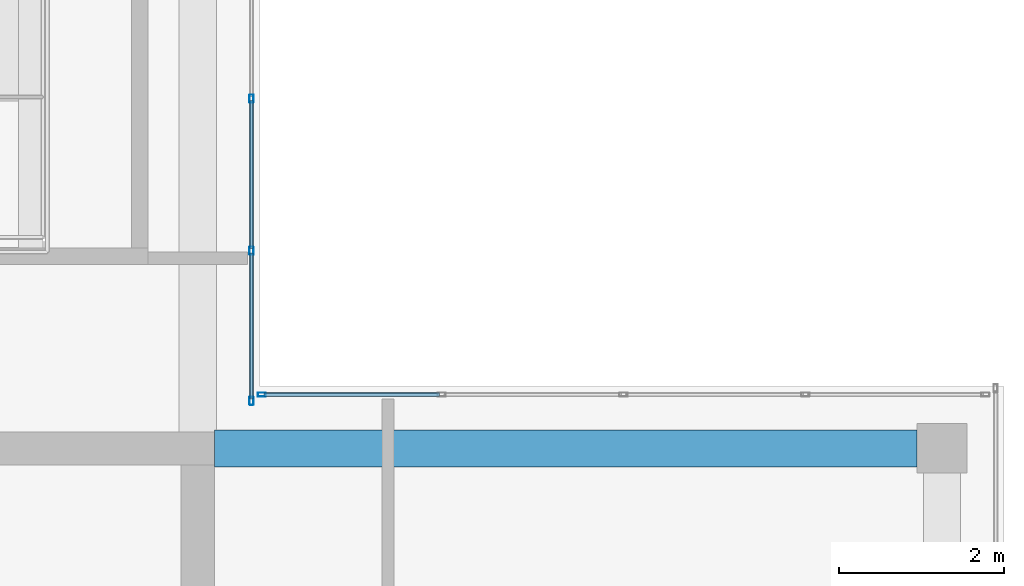
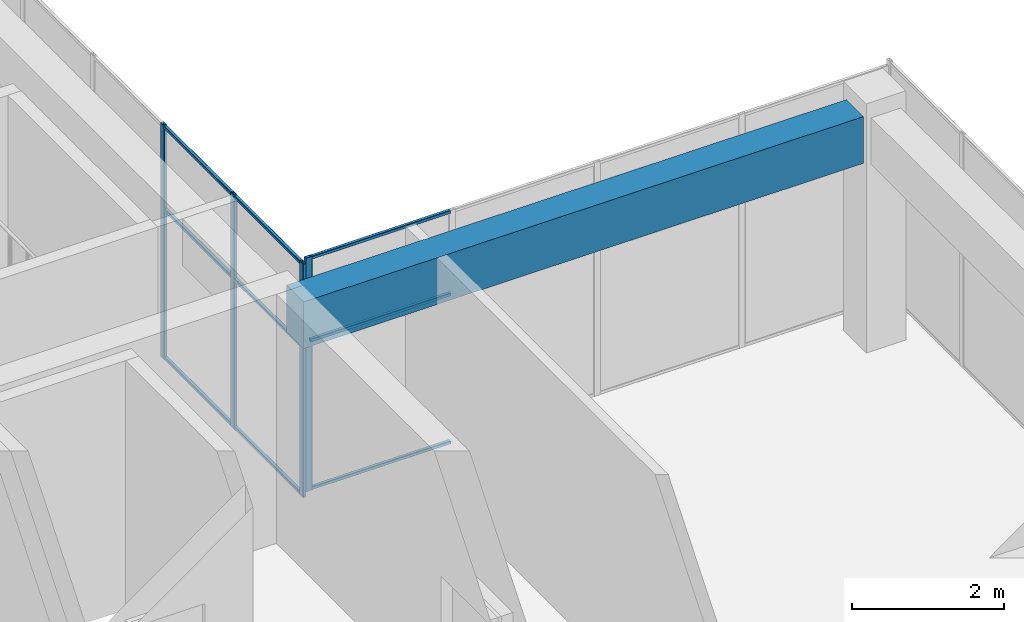
# One storey, part 17 of 32: 13 members, 1 beam, 2 elements without a shape of their own.
"""IFC4 building model written with IfcOpenShell, lengths in metres."""

from ifc_helpers import new_model, si_unit, direction, frame, origin, origin_2d, place, context, subcontext, project, spatial, rectangle, hollow_rectangle, extrude, material, layer, layer_set, material_profile, profile_set, type_object, element, aggregate, save


model = new_model("IFC4")

# Units and contexts
model_context = context("Model", 3, precision=1e-05, world=origin(), true_north=direction((0.0, 1.0)))
body_context = subcontext(model_context, "Body", "Model", "MODEL_VIEW")
ifc_project = project(units=[si_unit("LENGTHUNIT", "METRE"), si_unit("AREAUNIT", "SQUARE_METRE"), si_unit("VOLUMEUNIT", "CUBIC_METRE"), si_unit("PLANEANGLEUNIT", "RADIAN"), si_unit("MASSUNIT", "GRAM", prefix="KILO")], contexts=[model_context])

# Site, building, storey
site_placement = place(None, origin())
site = spatial("IfcSite", under=ifc_project, at=site_placement, CompositionType="ELEMENT")
building_placement = place(site_placement, origin())
building = spatial("IfcBuilding", under=site, at=building_placement, Name="Tuart Plaza Theatre", CompositionType="ELEMENT")
storey_placement = place(building_placement, frame((0.0, 0.0, 41.5)))
storey = spatial("IfcBuildingStorey", under=building, at=storey_placement, Name="L10", CompositionType="ELEMENT", Elevation=41.5)

# Beam
ifc_material_1 = material(Name="Concrete N40 (40 MPa)", Category="concrete")
ifc_material_profile_1 = material_profile(ifc_material_1, rectangle(XDim=0.449951171875, YDim=0.75, at=origin_2d()), Name="BEAM 450x750 Concrete N40 (40 MPa)")
ifc_profile_set_1 = profile_set([ifc_material_profile_1], Name="Concrete N40 (40 MPa)")
beam_type = type_object("IfcBeamType", Name="BEAM 450x750 Concrete N40 (40 MPa)", PredefinedType="BEAM", material=ifc_profile_set_1)
beam_placement = place(storey_placement, frame((141.199951171875, 83.0, 3.375), z_axis=(1.0, 0.0, 0.0), x_axis=(0.0, 1.0, 0.0)))
element("IfcBeam", 1, at=beam_placement, inside=storey, type_object=beam_type, Name="RB308", PredefinedType="BEAM", context=body_context, shape_type="SweptSolid", body=[
    extrude(rectangle(XDim=0.449951171875, YDim=0.75, at=origin_2d()), origin(), (0.0, 0.0, 1.0), 8.5),
])

# Curtain wall, member
ifc_material_2 = material(Name="Aluminium and glass", Category="aluminium")
ifc_layer = layer(ifc_material_2, 0.10009765625)
ifc_layer_set = layer_set([ifc_layer], Name="CURTAIN WALL 2000 module")
curtain_wall_type = type_object("IfcCurtainWallType", Name="CURTAIN WALL 2000 module", PredefinedType="NOTDEFINED", material=ifc_layer_set)
curtain_wall_1_placement = place(storey_placement, origin())
curtain_wall_1 = element("IfcCurtainWall", 2, at=curtain_wall_1_placement, inside=storey, type_object=curtain_wall_type, Name="CW103", PredefinedType="NOTDEFINED")
ifc_material_3 = material(Name="Aluminium 6063-T5", Category="aluminium")
ifc_material_profile_2 = material_profile(ifc_material_3, hollow_rectangle(XDim=0.050048828125, YDim=0.10009765625, WallThickness=0.00390625, InnerFilletRadius=0.00390625, OuterFilletRadius=0.008056640625, at=origin_2d()), Name="RHS 100x50x4")
ifc_profile_set_2 = profile_set([ifc_material_profile_2], Name="Aluminium 6063-T5")
member_type_1 = type_object("IfcMemberType", Name="MULLION RHS 100x50x4", PredefinedType="MULLION", material=ifc_profile_set_2)
member_1_placement = place(storey_placement, frame((141.77490234375, 83.64990234375, 0.0), z_axis=(0.0, 0.0, 1.0), x_axis=(0.0, -1.0, 0.0)))
member_1 = element("IfcMember", 3, at=member_1_placement, type_object=member_type_1, Name="CW103 mullion 5", PredefinedType="MULLION", context=body_context, shape_type="SweptSolid", body=[
    extrude(hollow_rectangle(XDim=0.050048828125, YDim=0.10009765625, WallThickness=0.00390625, InnerFilletRadius=0.00390625, OuterFilletRadius=0.008056640625, at=origin_2d()), origin(), (0.0, 0.0, 1.0), 3.75),
])

# Curtain wall, members
curtain_wall_2_placement = place(storey_placement, origin())
curtain_wall_2 = element("IfcCurtainWall", 4, at=curtain_wall_2_placement, inside=storey, type_object=curtain_wall_type, Name="CW104", PredefinedType="NOTDEFINED")
member_2_placement = place(storey_placement, frame((141.64990234375, 83.574951171875, 0.0), z_axis=(0.0, 0.0, 1.0), x_axis=(-1.0, 0.0, 0.0)))
member_2 = element("IfcMember", 5, at=member_2_placement, type_object=member_type_1, Name="CW104 mullion 1", PredefinedType="MULLION", context=body_context, shape_type="SweptSolid", body=[
    extrude(hollow_rectangle(XDim=0.050048828125, YDim=0.10009765625, WallThickness=0.00390625, InnerFilletRadius=0.00390625, OuterFilletRadius=0.008056640625, at=origin_2d()), origin(), (0.0, 0.0, 1.0), 3.75),
])
member_3_placement = place(storey_placement, frame((141.64990234375, 85.389892578125, 0.0), z_axis=(0.0, 0.0, 1.0), x_axis=(-1.0, 0.0, 0.0)))
member_3 = element("IfcMember", 6, at=member_3_placement, type_object=member_type_1, Name="CW104 mullion 2", PredefinedType="MULLION", context=body_context, shape_type="SweptSolid", body=[
    extrude(hollow_rectangle(XDim=0.050048828125, YDim=0.10009765625, WallThickness=0.00390625, InnerFilletRadius=0.00390625, OuterFilletRadius=0.008056640625, at=origin_2d()), origin(), (0.0, 0.0, 1.0), 3.75),
])
member_4_placement = place(storey_placement, frame((141.64990234375, 87.22998046875, 0.0), z_axis=(0.0, 0.0, 1.0), x_axis=(-1.0, 0.0, 0.0)))
member_4 = element("IfcMember", 7, at=member_4_placement, type_object=member_type_1, Name="CW104 mullion 3", PredefinedType="MULLION", context=body_context, shape_type="SweptSolid", body=[
    extrude(hollow_rectangle(XDim=0.050048828125, YDim=0.10009765625, WallThickness=0.00390625, InnerFilletRadius=0.00390625, OuterFilletRadius=0.008056640625, at=origin_2d()), origin(), (0.0, 0.0, 1.0), 3.75),
])

# Member
ifc_material_4 = material(Name="Aluminium 6063-T5", Category="aluminium")
ifc_material_profile_3 = material_profile(ifc_material_4, hollow_rectangle(XDim=0.050048828125, YDim=0.050048828125, WallThickness=0.00390625, InnerFilletRadius=0.00390625, OuterFilletRadius=0.008056640625, at=origin_2d()), Name="RHS 50x50x4")
ifc_profile_set_3 = profile_set([ifc_material_profile_3], Name="Aluminium 6063-T5")
member_type_2 = type_object("IfcMemberType", Name="TRANSOM RHS 50x50x4", PredefinedType="USERDEFINED", material=ifc_profile_set_3)
member_5_placement = place(storey_placement, frame((143.925048828125, 83.64990234375, 0.02490234375), z_axis=(-1.0, 0.0, 0.0), x_axis=(0.0, -1.0, 0.0)))
member_5 = element("IfcMember", 8, at=member_5_placement, type_object=member_type_2, Name="CW103 transom 4.1", ObjectType="TRANSOM", PredefinedType="USERDEFINED", context=body_context, shape_type="SweptSolid", body=[
    extrude(hollow_rectangle(XDim=0.050048828125, YDim=0.050048828125, WallThickness=0.00390625, InnerFilletRadius=0.00390625, OuterFilletRadius=0.008056640625, at=origin_2d()), origin(), (0.0, 0.0, 1.0), 2.125),
])

member_6_placement = place(storey_placement, frame((143.925048828125, 83.64990234375, 2.39990234375), z_axis=(-1.0, 0.0, 0.0), x_axis=(0.0, -1.0, 0.0)))
member_6 = element("IfcMember", 9, at=member_6_placement, type_object=member_type_2, Name="CW103 transom 4.2", ObjectType="TRANSOM", PredefinedType="USERDEFINED", context=body_context, shape_type="SweptSolid", body=[
    extrude(hollow_rectangle(XDim=0.050048828125, YDim=0.050048828125, WallThickness=0.00390625, InnerFilletRadius=0.00390625, OuterFilletRadius=0.008056640625, at=origin_2d()), origin(), (0.0, 0.0, 1.0), 2.125),
])

member_7_placement = place(storey_placement, frame((143.925048828125, 83.64990234375, 3.72509765625), z_axis=(-1.0, 0.0, 0.0), x_axis=(0.0, -1.0, 0.0)))
member_7 = element("IfcMember", 10, at=member_7_placement, type_object=member_type_2, Name="CW103 transom 4.3", ObjectType="TRANSOM", PredefinedType="USERDEFINED", context=body_context, shape_type="SweptSolid", body=[
    extrude(hollow_rectangle(XDim=0.050048828125, YDim=0.050048828125, WallThickness=0.00390625, InnerFilletRadius=0.00390625, OuterFilletRadius=0.008056640625, at=origin_2d()), origin(), (0.0, 0.0, 1.0), 2.125),
])

aggregate(curtain_wall_1, [member_1, member_5, member_6, member_7])

member_8_placement = place(storey_placement, frame((141.64990234375, 83.60009765625, 0.02490234375), z_axis=(0.0, 1.0, 0.0), x_axis=(-1.0, 0.0, 0.0)))
member_8 = element("IfcMember", 11, at=member_8_placement, type_object=member_type_2, Name="CW104 transom 1.1", ObjectType="TRANSOM", PredefinedType="USERDEFINED", context=body_context, shape_type="SweptSolid", body=[
    extrude(hollow_rectangle(XDim=0.050048828125, YDim=0.050048828125, WallThickness=0.00390625, InnerFilletRadius=0.00390625, OuterFilletRadius=0.008056640625, at=origin_2d()), origin(), (0.0, 0.0, 1.0), 1.764892578125),
])

member_9_placement = place(storey_placement, frame((141.64990234375, 83.60009765625, 2.39990234375), z_axis=(0.0, 1.0, 0.0), x_axis=(-1.0, 0.0, 0.0)))
member_9 = element("IfcMember", 12, at=member_9_placement, type_object=member_type_2, Name="CW104 transom 1.2", ObjectType="TRANSOM", PredefinedType="USERDEFINED", context=body_context, shape_type="SweptSolid", body=[
    extrude(hollow_rectangle(XDim=0.050048828125, YDim=0.050048828125, WallThickness=0.00390625, InnerFilletRadius=0.00390625, OuterFilletRadius=0.008056640625, at=origin_2d()), origin(), (0.0, 0.0, 1.0), 1.764892578125),
])

member_10_placement = place(storey_placement, frame((141.64990234375, 83.60009765625, 3.72509765625), z_axis=(0.0, 1.0, 0.0), x_axis=(-1.0, 0.0, 0.0)))
member_10 = element("IfcMember", 13, at=member_10_placement, type_object=member_type_2, Name="CW104 transom 1.3", ObjectType="TRANSOM", PredefinedType="USERDEFINED", context=body_context, shape_type="SweptSolid", body=[
    extrude(hollow_rectangle(XDim=0.050048828125, YDim=0.050048828125, WallThickness=0.00390625, InnerFilletRadius=0.00390625, OuterFilletRadius=0.008056640625, at=origin_2d()), origin(), (0.0, 0.0, 1.0), 1.764892578125),
])

member_11_placement = place(storey_placement, frame((141.64990234375, 85.4150390625, 0.02490234375), z_axis=(0.0, 1.0, 0.0), x_axis=(-1.0, 0.0, 0.0)))
member_11 = element("IfcMember", 14, at=member_11_placement, type_object=member_type_2, Name="CW104 transom 2.1", ObjectType="TRANSOM", PredefinedType="USERDEFINED", context=body_context, shape_type="SweptSolid", body=[
    extrude(hollow_rectangle(XDim=0.050048828125, YDim=0.050048828125, WallThickness=0.00390625, InnerFilletRadius=0.00390625, OuterFilletRadius=0.008056640625, at=origin_2d()), origin(), (0.0, 0.0, 1.0), 1.7900390625),
])

member_12_placement = place(storey_placement, frame((141.64990234375, 85.4150390625, 2.39990234375), z_axis=(0.0, 1.0, 0.0), x_axis=(-1.0, 0.0, 0.0)))
member_12 = element("IfcMember", 15, at=member_12_placement, type_object=member_type_2, Name="CW104 transom 2.2", ObjectType="TRANSOM", PredefinedType="USERDEFINED", context=body_context, shape_type="SweptSolid", body=[
    extrude(hollow_rectangle(XDim=0.050048828125, YDim=0.050048828125, WallThickness=0.00390625, InnerFilletRadius=0.00390625, OuterFilletRadius=0.008056640625, at=origin_2d()), origin(), (0.0, 0.0, 1.0), 1.7900390625),
])

member_13_placement = place(storey_placement, frame((141.64990234375, 85.4150390625, 3.72509765625), z_axis=(0.0, 1.0, 0.0), x_axis=(-1.0, 0.0, 0.0)))
member_13 = element("IfcMember", 16, at=member_13_placement, type_object=member_type_2, Name="CW104 transom 2.3", ObjectType="TRANSOM", PredefinedType="USERDEFINED", context=body_context, shape_type="SweptSolid", body=[
    extrude(hollow_rectangle(XDim=0.050048828125, YDim=0.050048828125, WallThickness=0.00390625, InnerFilletRadius=0.00390625, OuterFilletRadius=0.008056640625, at=origin_2d()), origin(), (0.0, 0.0, 1.0), 1.7900390625),
])

aggregate(curtain_wall_2, [member_2, member_3, member_4, member_8, member_9, member_10, member_11, member_12, member_13])

save(model, "model.ifc")
